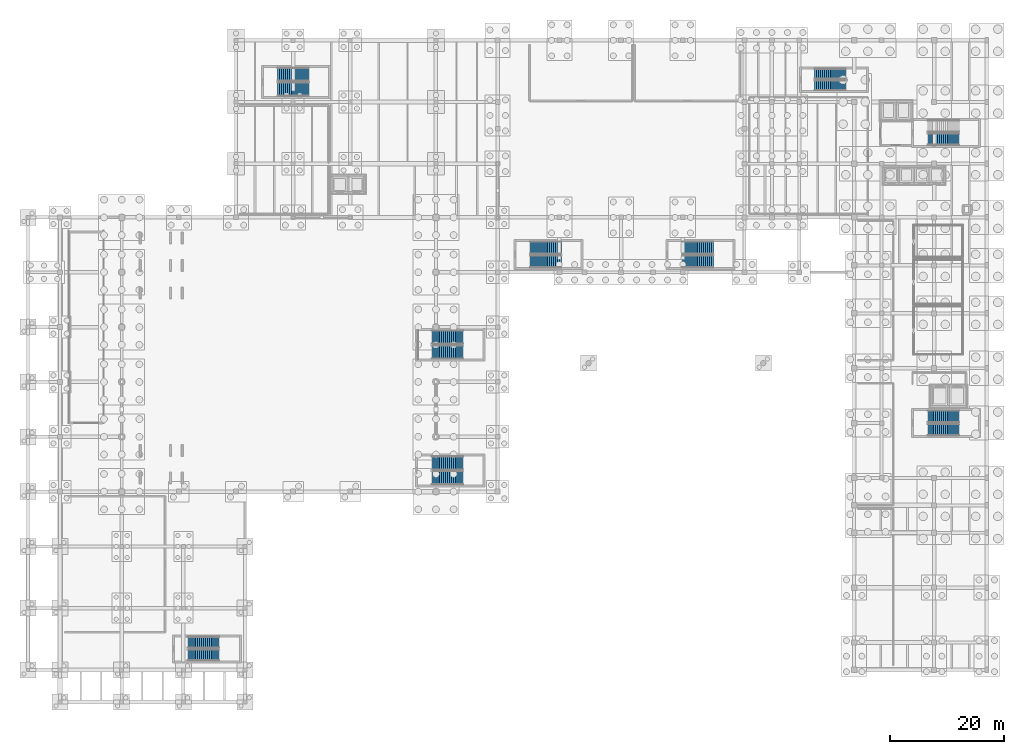
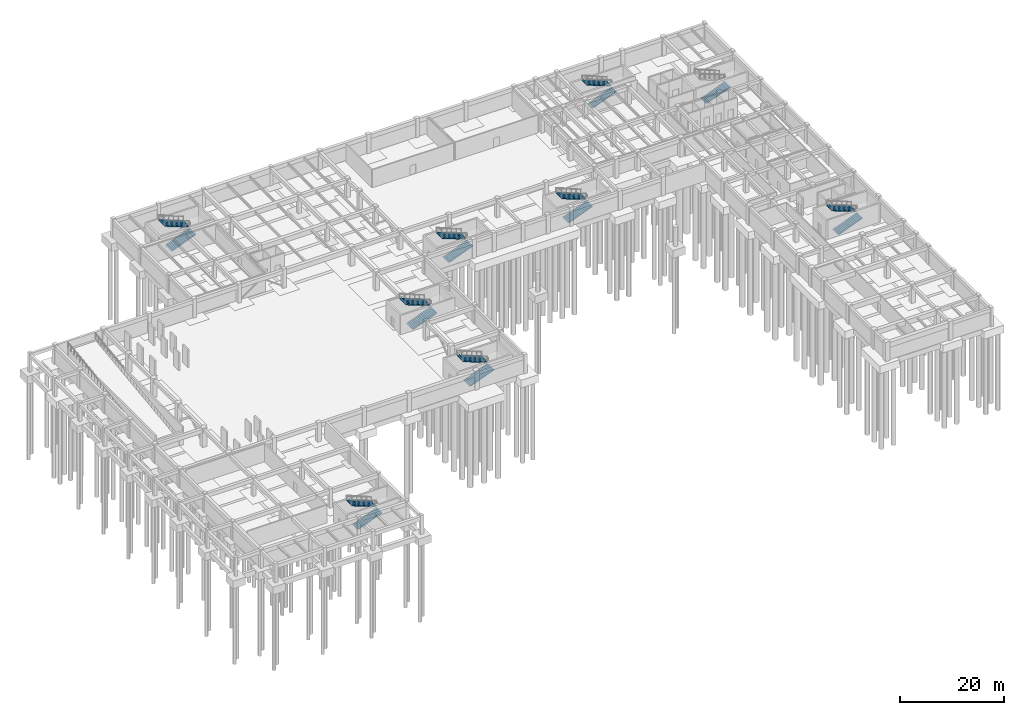
# One storey, part 23 of 33: 17 stair flights, 9 elements without a shape of their own.
"""IFC4 building model written with IfcOpenShell, lengths in metres."""

from ifc_helpers import new_model, si_unit, direction, frame, origin, place, context, subcontext, project, spatial, polyline, outline, extrude, material, type_object, element, aggregate, save


model = new_model("IFC4")

# Units and contexts
model_context = context("Model", 3, precision=1e-05, world=origin(), true_north=direction((0.0, 1.0)))
body_context = subcontext(model_context, "Body", "Model", "MODEL_VIEW")
ifc_project = project(units=[si_unit("LENGTHUNIT", "METRE"), si_unit("AREAUNIT", "SQUARE_METRE"), si_unit("VOLUMEUNIT", "CUBIC_METRE"), si_unit("PLANEANGLEUNIT", "RADIAN"), si_unit("MASSUNIT", "GRAM", prefix="KILO")], contexts=[model_context])

# Site, building, storey
site_placement = place(None, origin())
site = spatial("IfcSite", under=ifc_project, at=site_placement, CompositionType="ELEMENT")
building_placement = place(site_placement, origin())
building = spatial("IfcBuilding", under=site, at=building_placement, Name="Veldera Park Congress Hotel", CompositionType="ELEMENT")
storey_placement = place(building_placement, frame((0.0, 0.0, -4.5)))
storey = spatial("IfcBuildingStorey", under=building, at=storey_placement, Name="B1", CompositionType="ELEMENT", Elevation=-4.5)

# Stair, stair flight
ifc_material = material(Name="Concrete f'c 40 MPa (5,800 psi)", Category="concrete")
stair_type_1 = type_object("IfcStairType", Name="ST1", PredefinedType="HALF_TURN_STAIR", material=ifc_material)
stair_1_placement = place(storey_placement, origin())
stair_1 = element("IfcStair", 1, at=stair_1_placement, inside=storey, type_object=stair_type_1, Name="B1 Protected Exit Stair ST1", PredefinedType="HALF_TURN_STAIR")
stair_flight_type_1 = type_object("IfcStairFlightType", Name="SFL-ST1", PredefinedType="STRAIGHT", material=ifc_material)
stair_flight_1_placement = place(storey_placement, frame((73.699951171875, 40.64990234375, 0.0), z_axis=(0.0, 0.0, 1.0), x_axis=(1.0, 0.0, 0.0)))
stair_flight_1 = element("IfcStairFlight", 2, at=stair_flight_1_placement, type_object=stair_flight_type_1, Name="ST1 flight 1", NumberOfRisers=17, NumberOfTreads=16, PredefinedType="STRAIGHT", RiserHeight=0.132352941, TreadLength=0.34, context=body_context, shape_type="SweptSolid", body=[
    extrude(outline(polyline([(0.0, 0.0), (0.0, 0.13232421875), (0.340087890625, 0.13232421875), (0.340087890625, 0.2646484375), (0.679931640625, 0.2646484375), (0.679931640625, 0.39697265625), (1.02001953125, 0.39697265625), (1.02001953125, 0.529296875), (1.360107421875, 0.529296875), (1.360107421875, 0.661865234375), (1.699951171875, 0.661865234375), (1.699951171875, 0.794189453125), (2.0400390625, 0.794189453125), (2.0400390625, 0.926513671875), (2.3798828125, 0.926513671875), (2.3798828125, 1.058837890625), (2.719970703125, 1.058837890625), (2.719970703125, 1.191162109375), (3.06005859375, 1.191162109375), (3.06005859375, 1.323486328125), (3.39990234375, 1.323486328125), (3.39990234375, 1.455810546875), (3.739990234375, 1.455810546875), (3.739990234375, 1.588134765625), (4.080078125, 1.588134765625), (4.080078125, 1.720703125), (4.419921875, 1.720703125), (4.419921875, 1.85302734375), (4.760009765625, 1.85302734375), (4.760009765625, 1.9853515625), (5.10009765625, 1.9853515625), (5.10009765625, 2.11767578125), (5.43994140625, 2.11767578125), (5.43994140625, 2.25), (5.43994140625, 2.25), (5.43994140625, 1.924560546875), (0.49609375, 0.0), (0.0, 0.0)])), frame((0.0, 1.050048828125, 0.0), z_axis=(0.0, -1.0, 0.0), x_axis=(1.0, 0.0, 0.0)), (0.0, 0.0, 1.0), 2.10009765625),
])
aggregate(stair_1, [stair_flight_1])

# Stair, stair flights
stair_type_2 = type_object("IfcStairType", Name="ST2", PredefinedType="HALF_TURN_STAIR", material=ifc_material)
stair_2_placement = place(storey_placement, origin())
stair_2 = element("IfcStair", 3, at=stair_2_placement, inside=storey, type_object=stair_type_2, Name="B1 Protected Exit Stair ST2", PredefinedType="HALF_TURN_STAIR")
stair_flight_type_2 = type_object("IfcStairFlightType", Name="SFL-ST2", PredefinedType="STRAIGHT", material=ifc_material)
stair_flight_2_placement = place(storey_placement, frame((73.699951171875, -10.14990234375, 0.0), z_axis=(0.0, 0.0, 1.0), x_axis=(1.0, 0.0, 0.0)))
stair_flight_2 = element("IfcStairFlight", 4, at=stair_flight_2_placement, type_object=stair_flight_type_2, Name="ST2 flight 1", NumberOfRisers=17, NumberOfTreads=16, PredefinedType="STRAIGHT", RiserHeight=0.132352941, TreadLength=0.34, context=body_context, shape_type="SweptSolid", body=[
    extrude(outline(polyline([(0.0, 0.0), (0.0, 0.13232421875), (0.340087890625, 0.13232421875), (0.340087890625, 0.2646484375), (0.679931640625, 0.2646484375), (0.679931640625, 0.39697265625), (1.02001953125, 0.39697265625), (1.02001953125, 0.529296875), (1.360107421875, 0.529296875), (1.360107421875, 0.661865234375), (1.699951171875, 0.661865234375), (1.699951171875, 0.794189453125), (2.0400390625, 0.794189453125), (2.0400390625, 0.926513671875), (2.3798828125, 0.926513671875), (2.3798828125, 1.058837890625), (2.719970703125, 1.058837890625), (2.719970703125, 1.191162109375), (3.06005859375, 1.191162109375), (3.06005859375, 1.323486328125), (3.39990234375, 1.323486328125), (3.39990234375, 1.455810546875), (3.739990234375, 1.455810546875), (3.739990234375, 1.588134765625), (4.080078125, 1.588134765625), (4.080078125, 1.720703125), (4.419921875, 1.720703125), (4.419921875, 1.85302734375), (4.760009765625, 1.85302734375), (4.760009765625, 1.9853515625), (5.10009765625, 1.9853515625), (5.10009765625, 2.11767578125), (5.43994140625, 2.11767578125), (5.43994140625, 2.25), (5.43994140625, 2.25), (5.43994140625, 1.924560546875), (0.49609375, 0.0), (0.0, 0.0)])), frame((0.0, 1.050048828125, 0.0), z_axis=(0.0, -1.0, 0.0), x_axis=(1.0, 0.0, 0.0)), (0.0, 0.0, 1.0), 2.10009765625),
])
stair_flight_3_placement = place(storey_placement, frame((79.139892578125, -7.85009765625, 2.25), z_axis=(0.0, 0.0, 1.0), x_axis=(-1.0, 0.0, 0.0)))
stair_flight_3 = element("IfcStairFlight", 5, at=stair_flight_3_placement, type_object=stair_flight_type_2, Name="ST2 flight 2", NumberOfRisers=17, NumberOfTreads=16, PredefinedType="STRAIGHT", RiserHeight=0.132352941, TreadLength=0.34, context=body_context, shape_type="SweptSolid", body=[
    extrude(outline(polyline([(0.0, 0.0), (0.0, 0.13232421875), (0.340087890625, 0.13232421875), (0.340087890625, 0.2646484375), (0.679931640625, 0.2646484375), (0.679931640625, 0.39697265625), (1.02001953125, 0.39697265625), (1.02001953125, 0.529296875), (1.360107421875, 0.529296875), (1.360107421875, 0.661865234375), (1.699951171875, 0.661865234375), (1.699951171875, 0.794189453125), (2.0400390625, 0.794189453125), (2.0400390625, 0.926513671875), (2.3798828125, 0.926513671875), (2.3798828125, 1.058837890625), (2.719970703125, 1.058837890625), (2.719970703125, 1.191162109375), (3.06005859375, 1.191162109375), (3.06005859375, 1.323486328125), (3.39990234375, 1.323486328125), (3.39990234375, 1.455810546875), (3.739990234375, 1.455810546875), (3.739990234375, 1.588134765625), (4.080078125, 1.588134765625), (4.080078125, 1.720703125), (4.419921875, 1.720703125), (4.419921875, 1.85302734375), (4.760009765625, 1.85302734375), (4.760009765625, 1.9853515625), (5.10009765625, 1.9853515625), (5.10009765625, 2.11767578125), (5.43994140625, 2.11767578125), (5.43994140625, 2.25), (5.43994140625, 2.25), (5.43994140625, 1.924560546875), (0.49609375, 0.0), (0.0, 0.0)])), frame((0.0, 1.050048828125, 0.0), z_axis=(0.0, -1.0, 0.0), x_axis=(1.0, 0.0, 0.0)), (0.0, 0.0, 1.0), 2.10009765625),
])
aggregate(stair_2, [stair_flight_2, stair_flight_3])

stair_type_3 = type_object("IfcStairType", Name="ST3", PredefinedType="HALF_TURN_STAIR", material=ifc_material)
stair_3_placement = place(storey_placement, origin())
stair_3 = element("IfcStair", 6, at=stair_3_placement, inside=storey, type_object=stair_type_3, Name="B1 Protected Exit Stair ST3", PredefinedType="HALF_TURN_STAIR")
stair_flight_type_3 = type_object("IfcStairFlightType", Name="SFL-ST3", PredefinedType="STRAIGHT", material=ifc_material)
stair_flight_4_placement = place(storey_placement, frame((53.89990234375, 50.10009765625, 0.0), z_axis=(0.0, 0.0, 1.0), x_axis=(1.0, 0.0, 0.0)))
stair_flight_4 = element("IfcStairFlight", 7, at=stair_flight_4_placement, type_object=stair_flight_type_3, Name="ST3 flight 1", NumberOfRisers=17, NumberOfTreads=16, PredefinedType="STRAIGHT", RiserHeight=0.132352941, TreadLength=0.34, context=body_context, shape_type="SweptSolid", body=[
    extrude(outline(polyline([(0.0, 0.0), (0.0, 0.13232421875), (0.340087890625, 0.13232421875), (0.340087890625, 0.2646484375), (0.679931640625, 0.2646484375), (0.679931640625, 0.39697265625), (1.02001953125, 0.39697265625), (1.02001953125, 0.529296875), (1.360107421875, 0.529296875), (1.360107421875, 0.661865234375), (1.699951171875, 0.661865234375), (1.699951171875, 0.794189453125), (2.0400390625, 0.794189453125), (2.0400390625, 0.926513671875), (2.3798828125, 0.926513671875), (2.3798828125, 1.058837890625), (2.719970703125, 1.058837890625), (2.719970703125, 1.191162109375), (3.06005859375, 1.191162109375), (3.06005859375, 1.323486328125), (3.39990234375, 1.323486328125), (3.39990234375, 1.455810546875), (3.739990234375, 1.455810546875), (3.739990234375, 1.588134765625), (4.080078125, 1.588134765625), (4.080078125, 1.720703125), (4.419921875, 1.720703125), (4.419921875, 1.85302734375), (4.760009765625, 1.85302734375), (4.760009765625, 1.9853515625), (5.10009765625, 1.9853515625), (5.10009765625, 2.11767578125), (5.43994140625, 2.11767578125), (5.43994140625, 2.25), (5.43994140625, 2.25), (5.43994140625, 1.924560546875), (0.49609375, 0.0), (0.0, 0.0)])), frame((0.0, 0.89990234375, 0.0), z_axis=(0.0, -1.0, 0.0), x_axis=(1.0, 0.0, 0.0)), (0.0, 0.0, 1.0), 1.800048828125),
])
stair_flight_5_placement = place(storey_placement, frame((59.340087890625, 52.10009765625, 2.25), z_axis=(0.0, 0.0, 1.0), x_axis=(-1.0, 0.0, 0.0)))
stair_flight_5 = element("IfcStairFlight", 8, at=stair_flight_5_placement, type_object=stair_flight_type_3, Name="ST3 flight 2", NumberOfRisers=17, NumberOfTreads=16, PredefinedType="STRAIGHT", RiserHeight=0.132352941, TreadLength=0.34, context=body_context, shape_type="SweptSolid", body=[
    extrude(outline(polyline([(0.0, 0.0), (0.0, 0.13232421875), (0.340087890625, 0.13232421875), (0.340087890625, 0.2646484375), (0.679931640625, 0.2646484375), (0.679931640625, 0.39697265625), (1.02001953125, 0.39697265625), (1.02001953125, 0.529296875), (1.360107421875, 0.529296875), (1.360107421875, 0.661865234375), (1.699951171875, 0.661865234375), (1.699951171875, 0.794189453125), (2.0400390625, 0.794189453125), (2.0400390625, 0.926513671875), (2.3798828125, 0.926513671875), (2.3798828125, 1.058837890625), (2.719970703125, 1.058837890625), (2.719970703125, 1.191162109375), (3.06005859375, 1.191162109375), (3.06005859375, 1.323486328125), (3.39990234375, 1.323486328125), (3.39990234375, 1.455810546875), (3.739990234375, 1.455810546875), (3.739990234375, 1.588134765625), (4.080078125, 1.588134765625), (4.080078125, 1.720703125), (4.419921875, 1.720703125), (4.419921875, 1.85302734375), (4.760009765625, 1.85302734375), (4.760009765625, 1.9853515625), (5.10009765625, 1.9853515625), (5.10009765625, 2.11767578125), (5.43994140625, 2.11767578125), (5.43994140625, 2.25), (5.43994140625, 2.25), (5.43994140625, 1.924560546875), (0.49609375, 0.0), (0.0, 0.0)])), frame((0.0, 0.89990234375, 0.0), z_axis=(0.0, -1.0, 0.0), x_axis=(1.0, 0.0, 0.0)), (0.0, 0.0, 1.0), 1.800048828125),
])
aggregate(stair_3, [stair_flight_4, stair_flight_5])

stair_type_4 = type_object("IfcStairType", Name="ST4", PredefinedType="HALF_TURN_STAIR", material=ifc_material)
stair_4_placement = place(storey_placement, origin())
stair_4 = element("IfcStair", 9, at=stair_4_placement, inside=storey, type_object=stair_type_4, Name="B1 Protected Exit Stair ST4", PredefinedType="HALF_TURN_STAIR")
stair_flight_type_4 = type_object("IfcStairFlightType", Name="SFL-ST4", PredefinedType="STRAIGHT", material=ifc_material)
stair_flight_6_placement = place(storey_placement, frame((-40.10009765625, 49.39990234375, 0.0), z_axis=(0.0, 0.0, 1.0), x_axis=(1.0, 0.0, 0.0)))
stair_flight_6 = element("IfcStairFlight", 10, at=stair_flight_6_placement, type_object=stair_flight_type_4, Name="ST4 flight 1", NumberOfRisers=17, NumberOfTreads=16, PredefinedType="STRAIGHT", RiserHeight=0.132352941, TreadLength=0.34, context=body_context, shape_type="SweptSolid", body=[
    extrude(outline(polyline([(0.0, 0.0), (0.0, 0.13232421875), (0.340087890625, 0.13232421875), (0.340087890625, 0.2646484375), (0.679931640625, 0.2646484375), (0.679931640625, 0.39697265625), (1.02001953125, 0.39697265625), (1.02001953125, 0.529296875), (1.360107421875, 0.529296875), (1.360107421875, 0.661865234375), (1.699951171875, 0.661865234375), (1.699951171875, 0.794189453125), (2.0400390625, 0.794189453125), (2.0400390625, 0.926513671875), (2.3798828125, 0.926513671875), (2.3798828125, 1.058837890625), (2.719970703125, 1.058837890625), (2.719970703125, 1.191162109375), (3.06005859375, 1.191162109375), (3.06005859375, 1.323486328125), (3.39990234375, 1.323486328125), (3.39990234375, 1.455810546875), (3.739990234375, 1.455810546875), (3.739990234375, 1.588134765625), (4.080078125, 1.588134765625), (4.080078125, 1.720703125), (4.419921875, 1.720703125), (4.419921875, 1.85302734375), (4.760009765625, 1.85302734375), (4.760009765625, 1.9853515625), (5.10009765625, 1.9853515625), (5.10009765625, 2.11767578125), (5.43994140625, 2.11767578125), (5.43994140625, 2.25), (5.43994140625, 2.25), (5.43994140625, 1.924560546875), (0.49609375, 0.0), (0.0, 0.0)])), frame((0.0, 1.199951171875, 0.0), z_axis=(0.0, -1.0, 0.0), x_axis=(1.0, 0.0, 0.0)), (0.0, 0.0, 1.0), 2.39990234375),
])
stair_flight_7_placement = place(storey_placement, frame((-34.659912109375, 52.0, 2.25), z_axis=(0.0, 0.0, 1.0), x_axis=(-1.0, 0.0, 0.0)))
stair_flight_7 = element("IfcStairFlight", 11, at=stair_flight_7_placement, type_object=stair_flight_type_4, Name="ST4 flight 2", NumberOfRisers=17, NumberOfTreads=16, PredefinedType="STRAIGHT", RiserHeight=0.132352941, TreadLength=0.34, context=body_context, shape_type="SweptSolid", body=[
    extrude(outline(polyline([(0.0, 0.0), (0.0, 0.13232421875), (0.340087890625, 0.13232421875), (0.340087890625, 0.2646484375), (0.679931640625, 0.2646484375), (0.679931640625, 0.39697265625), (1.02001953125, 0.39697265625), (1.02001953125, 0.529296875), (1.360107421875, 0.529296875), (1.360107421875, 0.661865234375), (1.699951171875, 0.661865234375), (1.699951171875, 0.794189453125), (2.0400390625, 0.794189453125), (2.0400390625, 0.926513671875), (2.3798828125, 0.926513671875), (2.3798828125, 1.058837890625), (2.719970703125, 1.058837890625), (2.719970703125, 1.191162109375), (3.06005859375, 1.191162109375), (3.06005859375, 1.323486328125), (3.39990234375, 1.323486328125), (3.39990234375, 1.455810546875), (3.739990234375, 1.455810546875), (3.739990234375, 1.588134765625), (4.080078125, 1.588134765625), (4.080078125, 1.720703125), (4.419921875, 1.720703125), (4.419921875, 1.85302734375), (4.760009765625, 1.85302734375), (4.760009765625, 1.9853515625), (5.10009765625, 1.9853515625), (5.10009765625, 2.11767578125), (5.43994140625, 2.11767578125), (5.43994140625, 2.25), (5.43994140625, 2.25), (5.43994140625, 1.924560546875), (0.49609375, 0.0), (0.0, 0.0)])), frame((0.0, 1.199951171875, 0.0), z_axis=(0.0, -1.0, 0.0), x_axis=(1.0, 0.0, 0.0)), (0.0, 0.0, 1.0), 2.39990234375),
])
aggregate(stair_4, [stair_flight_6, stair_flight_7])

stair_type_5 = type_object("IfcStairType", Name="ST5", PredefinedType="HALF_TURN_STAIR", material=ifc_material)
stair_5_placement = place(storey_placement, origin())
stair_5 = element("IfcStair", 12, at=stair_5_placement, inside=storey, type_object=stair_type_5, Name="B1 Protected Exit Stair ST5", PredefinedType="HALF_TURN_STAIR")
stair_flight_type_5 = type_object("IfcStairFlightType", Name="SFL-ST5", PredefinedType="STRAIGHT", material=ifc_material)
stair_flight_8_placement = place(storey_placement, frame((-13.10009765625, -18.60009765625, 0.0), z_axis=(0.0, 0.0, 1.0), x_axis=(1.0, 0.0, 0.0)))
stair_flight_8 = element("IfcStairFlight", 13, at=stair_flight_8_placement, type_object=stair_flight_type_5, Name="ST5 flight 1", NumberOfRisers=17, NumberOfTreads=16, PredefinedType="STRAIGHT", RiserHeight=0.132352941, TreadLength=0.34, context=body_context, shape_type="SweptSolid", body=[
    extrude(outline(polyline([(0.0, 0.0), (0.0, 0.13232421875), (0.340087890625, 0.13232421875), (0.340087890625, 0.2646484375), (0.679931640625, 0.2646484375), (0.679931640625, 0.39697265625), (1.02001953125, 0.39697265625), (1.02001953125, 0.529296875), (1.360107421875, 0.529296875), (1.360107421875, 0.661865234375), (1.699951171875, 0.661865234375), (1.699951171875, 0.794189453125), (2.0400390625, 0.794189453125), (2.0400390625, 0.926513671875), (2.3798828125, 0.926513671875), (2.3798828125, 1.058837890625), (2.719970703125, 1.058837890625), (2.719970703125, 1.191162109375), (3.06005859375, 1.191162109375), (3.06005859375, 1.323486328125), (3.39990234375, 1.323486328125), (3.39990234375, 1.455810546875), (3.739990234375, 1.455810546875), (3.739990234375, 1.588134765625), (4.080078125, 1.588134765625), (4.080078125, 1.720703125), (4.419921875, 1.720703125), (4.419921875, 1.85302734375), (4.760009765625, 1.85302734375), (4.760009765625, 1.9853515625), (5.10009765625, 1.9853515625), (5.10009765625, 2.11767578125), (5.43994140625, 2.11767578125), (5.43994140625, 2.25), (5.43994140625, 2.25), (5.43994140625, 1.924560546875), (0.49609375, 0.0), (0.0, 0.0)])), frame((0.0, 1.199951171875, 0.0), z_axis=(0.0, -1.0, 0.0), x_axis=(1.0, 0.0, 0.0)), (0.0, 0.0, 1.0), 2.39990234375),
])
stair_flight_9_placement = place(storey_placement, frame((-7.659912109375, -16.0, 2.25), z_axis=(0.0, 0.0, 1.0), x_axis=(-1.0, 0.0, 0.0)))
stair_flight_9 = element("IfcStairFlight", 14, at=stair_flight_9_placement, type_object=stair_flight_type_5, Name="ST5 flight 2", NumberOfRisers=17, NumberOfTreads=16, PredefinedType="STRAIGHT", RiserHeight=0.132352941, TreadLength=0.34, context=body_context, shape_type="SweptSolid", body=[
    extrude(outline(polyline([(0.0, 0.0), (0.0, 0.13232421875), (0.340087890625, 0.13232421875), (0.340087890625, 0.2646484375), (0.679931640625, 0.2646484375), (0.679931640625, 0.39697265625), (1.02001953125, 0.39697265625), (1.02001953125, 0.529296875), (1.360107421875, 0.529296875), (1.360107421875, 0.661865234375), (1.699951171875, 0.661865234375), (1.699951171875, 0.794189453125), (2.0400390625, 0.794189453125), (2.0400390625, 0.926513671875), (2.3798828125, 0.926513671875), (2.3798828125, 1.058837890625), (2.719970703125, 1.058837890625), (2.719970703125, 1.191162109375), (3.06005859375, 1.191162109375), (3.06005859375, 1.323486328125), (3.39990234375, 1.323486328125), (3.39990234375, 1.455810546875), (3.739990234375, 1.455810546875), (3.739990234375, 1.588134765625), (4.080078125, 1.588134765625), (4.080078125, 1.720703125), (4.419921875, 1.720703125), (4.419921875, 1.85302734375), (4.760009765625, 1.85302734375), (4.760009765625, 1.9853515625), (5.10009765625, 1.9853515625), (5.10009765625, 2.11767578125), (5.43994140625, 2.11767578125), (5.43994140625, 2.25), (5.43994140625, 2.25), (5.43994140625, 1.924560546875), (0.49609375, 0.0), (0.0, 0.0)])), frame((0.0, 1.199951171875, 0.0), z_axis=(0.0, -1.0, 0.0), x_axis=(1.0, 0.0, 0.0)), (0.0, 0.0, 1.0), 2.39990234375),
])
aggregate(stair_5, [stair_flight_8, stair_flight_9])

stair_type_6 = type_object("IfcStairType", Name="ST6", PredefinedType="HALF_TURN_STAIR", material=ifc_material)
stair_6_placement = place(storey_placement, origin())
stair_6 = element("IfcStair", 15, at=stair_6_placement, inside=storey, type_object=stair_type_6, Name="B1 Protected Exit Stair ST6", PredefinedType="HALF_TURN_STAIR")
stair_flight_type_6 = type_object("IfcStairFlightType", Name="SFL-ST6", PredefinedType="STRAIGHT", material=ifc_material)
stair_flight_10_placement = place(storey_placement, frame((4.10009765625, 19.300048828125, 0.0), z_axis=(0.0, 0.0, 1.0), x_axis=(1.0, 0.0, 0.0)))
stair_flight_10 = element("IfcStairFlight", 16, at=stair_flight_10_placement, type_object=stair_flight_type_6, Name="ST6 flight 1", NumberOfRisers=17, NumberOfTreads=16, PredefinedType="STRAIGHT", RiserHeight=0.132352941, TreadLength=0.34, context=body_context, shape_type="SweptSolid", body=[
    extrude(outline(polyline([(0.0, 0.0), (0.0, 0.13232421875), (0.340087890625, 0.13232421875), (0.340087890625, 0.2646484375), (0.679931640625, 0.2646484375), (0.679931640625, 0.39697265625), (1.02001953125, 0.39697265625), (1.02001953125, 0.529296875), (1.360107421875, 0.529296875), (1.360107421875, 0.661865234375), (1.699951171875, 0.661865234375), (1.699951171875, 0.794189453125), (2.0400390625, 0.794189453125), (2.0400390625, 0.926513671875), (2.3798828125, 0.926513671875), (2.3798828125, 1.058837890625), (2.719970703125, 1.058837890625), (2.719970703125, 1.191162109375), (3.06005859375, 1.191162109375), (3.06005859375, 1.323486328125), (3.39990234375, 1.323486328125), (3.39990234375, 1.455810546875), (3.739990234375, 1.455810546875), (3.739990234375, 1.588134765625), (4.080078125, 1.588134765625), (4.080078125, 1.720703125), (4.419921875, 1.720703125), (4.419921875, 1.85302734375), (4.760009765625, 1.85302734375), (4.760009765625, 1.9853515625), (5.10009765625, 1.9853515625), (5.10009765625, 2.11767578125), (5.43994140625, 2.11767578125), (5.43994140625, 2.25), (5.43994140625, 2.25), (5.43994140625, 1.924560546875), (0.49609375, 0.0), (0.0, 0.0)])), frame((0.0, 1.10009765625, 0.0), z_axis=(0.0, -1.0, 0.0), x_axis=(1.0, 0.0, 0.0)), (0.0, 0.0, 1.0), 2.199951171875),
])
stair_flight_11_placement = place(storey_placement, frame((9.5400390625, 21.699951171875, 2.25), z_axis=(0.0, 0.0, 1.0), x_axis=(-1.0, 0.0, 0.0)))
stair_flight_11 = element("IfcStairFlight", 17, at=stair_flight_11_placement, type_object=stair_flight_type_6, Name="ST6 flight 2", NumberOfRisers=17, NumberOfTreads=16, PredefinedType="STRAIGHT", RiserHeight=0.132352941, TreadLength=0.34, context=body_context, shape_type="SweptSolid", body=[
    extrude(outline(polyline([(0.0, 0.0), (0.0, 0.13232421875), (0.340087890625, 0.13232421875), (0.340087890625, 0.2646484375), (0.679931640625, 0.2646484375), (0.679931640625, 0.39697265625), (1.02001953125, 0.39697265625), (1.02001953125, 0.529296875), (1.360107421875, 0.529296875), (1.360107421875, 0.661865234375), (1.699951171875, 0.661865234375), (1.699951171875, 0.794189453125), (2.0400390625, 0.794189453125), (2.0400390625, 0.926513671875), (2.3798828125, 0.926513671875), (2.3798828125, 1.058837890625), (2.719970703125, 1.058837890625), (2.719970703125, 1.191162109375), (3.06005859375, 1.191162109375), (3.06005859375, 1.323486328125), (3.39990234375, 1.323486328125), (3.39990234375, 1.455810546875), (3.739990234375, 1.455810546875), (3.739990234375, 1.588134765625), (4.080078125, 1.588134765625), (4.080078125, 1.720703125), (4.419921875, 1.720703125), (4.419921875, 1.85302734375), (4.760009765625, 1.85302734375), (4.760009765625, 1.9853515625), (5.10009765625, 1.9853515625), (5.10009765625, 2.11767578125), (5.43994140625, 2.11767578125), (5.43994140625, 2.25), (5.43994140625, 2.25), (5.43994140625, 1.924560546875), (0.49609375, 0.0), (0.0, 0.0)])), frame((0.0, 1.10009765625, 0.0), z_axis=(0.0, -1.0, 0.0), x_axis=(1.0, 0.0, 0.0)), (0.0, 0.0, 1.0), 2.199951171875),
])
aggregate(stair_6, [stair_flight_10, stair_flight_11])

stair_type_7 = type_object("IfcStairType", Name="ST7", PredefinedType="HALF_TURN_STAIR", material=ifc_material)
stair_7_placement = place(storey_placement, origin())
stair_7 = element("IfcStair", 18, at=stair_7_placement, inside=storey, type_object=stair_type_7, Name="B1 Protected Exit Stair ST7", PredefinedType="HALF_TURN_STAIR")
stair_flight_type_7 = type_object("IfcStairFlightType", Name="SFL-ST7", PredefinedType="STRAIGHT", material=ifc_material)
stair_flight_12_placement = place(storey_placement, frame((30.699951171875, 19.300048828125, 0.0), z_axis=(0.0, 0.0, 1.0), x_axis=(1.0, 0.0, 0.0)))
stair_flight_12 = element("IfcStairFlight", 19, at=stair_flight_12_placement, type_object=stair_flight_type_7, Name="ST7 flight 1", NumberOfRisers=17, NumberOfTreads=16, PredefinedType="STRAIGHT", RiserHeight=0.132352941, TreadLength=0.34, context=body_context, shape_type="SweptSolid", body=[
    extrude(outline(polyline([(0.0, 0.0), (0.0, 0.13232421875), (0.340087890625, 0.13232421875), (0.340087890625, 0.2646484375), (0.679931640625, 0.2646484375), (0.679931640625, 0.39697265625), (1.02001953125, 0.39697265625), (1.02001953125, 0.529296875), (1.360107421875, 0.529296875), (1.360107421875, 0.661865234375), (1.699951171875, 0.661865234375), (1.699951171875, 0.794189453125), (2.0400390625, 0.794189453125), (2.0400390625, 0.926513671875), (2.3798828125, 0.926513671875), (2.3798828125, 1.058837890625), (2.719970703125, 1.058837890625), (2.719970703125, 1.191162109375), (3.06005859375, 1.191162109375), (3.06005859375, 1.323486328125), (3.39990234375, 1.323486328125), (3.39990234375, 1.455810546875), (3.739990234375, 1.455810546875), (3.739990234375, 1.588134765625), (4.080078125, 1.588134765625), (4.080078125, 1.720703125), (4.419921875, 1.720703125), (4.419921875, 1.85302734375), (4.760009765625, 1.85302734375), (4.760009765625, 1.9853515625), (5.10009765625, 1.9853515625), (5.10009765625, 2.11767578125), (5.43994140625, 2.11767578125), (5.43994140625, 2.25), (5.43994140625, 2.25), (5.43994140625, 1.924560546875), (0.49609375, 0.0), (0.0, 0.0)])), frame((0.0, 1.10009765625, 0.0), z_axis=(0.0, -1.0, 0.0), x_axis=(1.0, 0.0, 0.0)), (0.0, 0.0, 1.0), 2.199951171875),
])
stair_flight_13_placement = place(storey_placement, frame((36.139892578125, 21.699951171875, 2.25), z_axis=(0.0, 0.0, 1.0), x_axis=(-1.0, 0.0, 0.0)))
stair_flight_13 = element("IfcStairFlight", 20, at=stair_flight_13_placement, type_object=stair_flight_type_7, Name="ST7 flight 2", NumberOfRisers=17, NumberOfTreads=16, PredefinedType="STRAIGHT", RiserHeight=0.132352941, TreadLength=0.34, context=body_context, shape_type="SweptSolid", body=[
    extrude(outline(polyline([(0.0, 0.0), (0.0, 0.13232421875), (0.340087890625, 0.13232421875), (0.340087890625, 0.2646484375), (0.679931640625, 0.2646484375), (0.679931640625, 0.39697265625), (1.02001953125, 0.39697265625), (1.02001953125, 0.529296875), (1.360107421875, 0.529296875), (1.360107421875, 0.661865234375), (1.699951171875, 0.661865234375), (1.699951171875, 0.794189453125), (2.0400390625, 0.794189453125), (2.0400390625, 0.926513671875), (2.3798828125, 0.926513671875), (2.3798828125, 1.058837890625), (2.719970703125, 1.058837890625), (2.719970703125, 1.191162109375), (3.06005859375, 1.191162109375), (3.06005859375, 1.323486328125), (3.39990234375, 1.323486328125), (3.39990234375, 1.455810546875), (3.739990234375, 1.455810546875), (3.739990234375, 1.588134765625), (4.080078125, 1.588134765625), (4.080078125, 1.720703125), (4.419921875, 1.720703125), (4.419921875, 1.85302734375), (4.760009765625, 1.85302734375), (4.760009765625, 1.9853515625), (5.10009765625, 1.9853515625), (5.10009765625, 2.11767578125), (5.43994140625, 2.11767578125), (5.43994140625, 2.25), (5.43994140625, 2.25), (5.43994140625, 1.924560546875), (0.49609375, 0.0), (0.0, 0.0)])), frame((0.0, 1.10009765625, 0.0), z_axis=(0.0, -1.0, 0.0), x_axis=(1.0, 0.0, 0.0)), (0.0, 0.0, 1.0), 2.199951171875),
])
aggregate(stair_7, [stair_flight_12, stair_flight_13])

stair_type_8 = type_object("IfcStairType", Name="ST8", PredefinedType="HALF_TURN_STAIR", material=ifc_material)
stair_8_placement = place(storey_placement, origin())
stair_8 = element("IfcStair", 21, at=stair_8_placement, inside=storey, type_object=stair_type_8, Name="B1 Protected Exit Stair ST8", PredefinedType="HALF_TURN_STAIR")
stair_flight_type_8 = type_object("IfcStairFlightType", Name="SFL-ST8", PredefinedType="STRAIGHT", material=ifc_material)
stair_flight_14_placement = place(storey_placement, frame((-55.800048828125, -49.60009765625, 0.0), z_axis=(0.0, 0.0, 1.0), x_axis=(1.0, 0.0, 0.0)))
stair_flight_14 = element("IfcStairFlight", 22, at=stair_flight_14_placement, type_object=stair_flight_type_8, Name="ST8 flight 1", NumberOfRisers=17, NumberOfTreads=16, PredefinedType="STRAIGHT", RiserHeight=0.132352941, TreadLength=0.34, context=body_context, shape_type="SweptSolid", body=[
    extrude(outline(polyline([(0.0, 0.0), (0.0, 0.13232421875), (0.340087890625, 0.13232421875), (0.340087890625, 0.2646484375), (0.679931640625, 0.2646484375), (0.679931640625, 0.39697265625), (1.02001953125, 0.39697265625), (1.02001953125, 0.529296875), (1.360107421875, 0.529296875), (1.360107421875, 0.661865234375), (1.699951171875, 0.661865234375), (1.699951171875, 0.794189453125), (2.0400390625, 0.794189453125), (2.0400390625, 0.926513671875), (2.3798828125, 0.926513671875), (2.3798828125, 1.058837890625), (2.719970703125, 1.058837890625), (2.719970703125, 1.191162109375), (3.06005859375, 1.191162109375), (3.06005859375, 1.323486328125), (3.39990234375, 1.323486328125), (3.39990234375, 1.455810546875), (3.739990234375, 1.455810546875), (3.739990234375, 1.588134765625), (4.080078125, 1.588134765625), (4.080078125, 1.720703125), (4.419921875, 1.720703125), (4.419921875, 1.85302734375), (4.760009765625, 1.85302734375), (4.760009765625, 1.9853515625), (5.10009765625, 1.9853515625), (5.10009765625, 2.11767578125), (5.43994140625, 2.11767578125), (5.43994140625, 2.25), (5.43994140625, 2.25), (5.43994140625, 1.924560546875), (0.49609375, 0.0), (0.0, 0.0)])), frame((0.0, 1.0, 0.0), z_axis=(0.0, -1.0, 0.0), x_axis=(1.0, 0.0, 0.0)), (0.0, 0.0, 1.0), 2.0),
])
stair_flight_15_placement = place(storey_placement, frame((-50.360107421875, -47.39990234375, 2.25), z_axis=(0.0, 0.0, 1.0), x_axis=(-1.0, 0.0, 0.0)))
stair_flight_15 = element("IfcStairFlight", 23, at=stair_flight_15_placement, type_object=stair_flight_type_8, Name="ST8 flight 2", NumberOfRisers=17, NumberOfTreads=16, PredefinedType="STRAIGHT", RiserHeight=0.132352941, TreadLength=0.34, context=body_context, shape_type="SweptSolid", body=[
    extrude(outline(polyline([(0.0, 0.0), (0.0, 0.13232421875), (0.340087890625, 0.13232421875), (0.340087890625, 0.2646484375), (0.679931640625, 0.2646484375), (0.679931640625, 0.39697265625), (1.02001953125, 0.39697265625), (1.02001953125, 0.529296875), (1.360107421875, 0.529296875), (1.360107421875, 0.661865234375), (1.699951171875, 0.661865234375), (1.699951171875, 0.794189453125), (2.0400390625, 0.794189453125), (2.0400390625, 0.926513671875), (2.3798828125, 0.926513671875), (2.3798828125, 1.058837890625), (2.719970703125, 1.058837890625), (2.719970703125, 1.191162109375), (3.06005859375, 1.191162109375), (3.06005859375, 1.323486328125), (3.39990234375, 1.323486328125), (3.39990234375, 1.455810546875), (3.739990234375, 1.455810546875), (3.739990234375, 1.588134765625), (4.080078125, 1.588134765625), (4.080078125, 1.720703125), (4.419921875, 1.720703125), (4.419921875, 1.85302734375), (4.760009765625, 1.85302734375), (4.760009765625, 1.9853515625), (5.10009765625, 1.9853515625), (5.10009765625, 2.11767578125), (5.43994140625, 2.11767578125), (5.43994140625, 2.25), (5.43994140625, 2.25), (5.43994140625, 1.924560546875), (0.49609375, 0.0), (0.0, 0.0)])), frame((0.0, 1.0, 0.0), z_axis=(0.0, -1.0, 0.0), x_axis=(1.0, 0.0, 0.0)), (0.0, 0.0, 1.0), 2.0),
])
aggregate(stair_8, [stair_flight_14, stair_flight_15])

stair_type_9 = type_object("IfcStairType", Name="ST9", PredefinedType="HALF_TURN_STAIR", material=ifc_material)
stair_9_placement = place(storey_placement, origin())
stair_9 = element("IfcStair", 24, at=stair_9_placement, inside=storey, type_object=stair_type_9, Name="B1 Monumental Foyer Stair ST9", PredefinedType="HALF_TURN_STAIR")
stair_flight_type_9 = type_object("IfcStairFlightType", Name="SFL-ST9", PredefinedType="STRAIGHT", material=ifc_material)
stair_flight_16_placement = place(storey_placement, frame((-13.10009765625, 3.39990234375, 0.0), z_axis=(0.0, 0.0, 1.0), x_axis=(1.0, 0.0, 0.0)))
stair_flight_16 = element("IfcStairFlight", 25, at=stair_flight_16_placement, type_object=stair_flight_type_9, Name="ST9 flight 1", NumberOfRisers=17, NumberOfTreads=16, PredefinedType="STRAIGHT", RiserHeight=0.132352941, TreadLength=0.34, context=body_context, shape_type="SweptSolid", body=[
    extrude(outline(polyline([(0.0, 0.0), (0.0, 0.13232421875), (0.340087890625, 0.13232421875), (0.340087890625, 0.2646484375), (0.679931640625, 0.2646484375), (0.679931640625, 0.39697265625), (1.02001953125, 0.39697265625), (1.02001953125, 0.529296875), (1.360107421875, 0.529296875), (1.360107421875, 0.661865234375), (1.699951171875, 0.661865234375), (1.699951171875, 0.794189453125), (2.0400390625, 0.794189453125), (2.0400390625, 0.926513671875), (2.3798828125, 0.926513671875), (2.3798828125, 1.058837890625), (2.719970703125, 1.058837890625), (2.719970703125, 1.191162109375), (3.06005859375, 1.191162109375), (3.06005859375, 1.323486328125), (3.39990234375, 1.323486328125), (3.39990234375, 1.455810546875), (3.739990234375, 1.455810546875), (3.739990234375, 1.588134765625), (4.080078125, 1.588134765625), (4.080078125, 1.720703125), (4.419921875, 1.720703125), (4.419921875, 1.85302734375), (4.760009765625, 1.85302734375), (4.760009765625, 1.9853515625), (5.10009765625, 1.9853515625), (5.10009765625, 2.11767578125), (5.43994140625, 2.11767578125), (5.43994140625, 2.25), (5.43994140625, 2.25), (5.43994140625, 1.924560546875), (0.49609375, 0.0), (0.0, 0.0)])), frame((0.0, 1.199951171875, 0.0), z_axis=(0.0, -1.0, 0.0), x_axis=(1.0, 0.0, 0.0)), (0.0, 0.0, 1.0), 2.39990234375),
])
stair_flight_17_placement = place(storey_placement, frame((-7.659912109375, 6.0, 2.25), z_axis=(0.0, 0.0, 1.0), x_axis=(-1.0, 0.0, 0.0)))
stair_flight_17 = element("IfcStairFlight", 26, at=stair_flight_17_placement, type_object=stair_flight_type_9, Name="ST9 flight 2", NumberOfRisers=17, NumberOfTreads=16, PredefinedType="STRAIGHT", RiserHeight=0.132352941, TreadLength=0.34, context=body_context, shape_type="SweptSolid", body=[
    extrude(outline(polyline([(0.0, 0.0), (0.0, 0.13232421875), (0.340087890625, 0.13232421875), (0.340087890625, 0.2646484375), (0.679931640625, 0.2646484375), (0.679931640625, 0.39697265625), (1.02001953125, 0.39697265625), (1.02001953125, 0.529296875), (1.360107421875, 0.529296875), (1.360107421875, 0.661865234375), (1.699951171875, 0.661865234375), (1.699951171875, 0.794189453125), (2.0400390625, 0.794189453125), (2.0400390625, 0.926513671875), (2.3798828125, 0.926513671875), (2.3798828125, 1.058837890625), (2.719970703125, 1.058837890625), (2.719970703125, 1.191162109375), (3.06005859375, 1.191162109375), (3.06005859375, 1.323486328125), (3.39990234375, 1.323486328125), (3.39990234375, 1.455810546875), (3.739990234375, 1.455810546875), (3.739990234375, 1.588134765625), (4.080078125, 1.588134765625), (4.080078125, 1.720703125), (4.419921875, 1.720703125), (4.419921875, 1.85302734375), (4.760009765625, 1.85302734375), (4.760009765625, 1.9853515625), (5.10009765625, 1.9853515625), (5.10009765625, 2.11767578125), (5.43994140625, 2.11767578125), (5.43994140625, 2.25), (5.43994140625, 2.25), (5.43994140625, 1.924560546875), (0.49609375, 0.0), (0.0, 0.0)])), frame((0.0, 1.199951171875, 0.0), z_axis=(0.0, -1.0, 0.0), x_axis=(1.0, 0.0, 0.0)), (0.0, 0.0, 1.0), 2.39990234375),
])
aggregate(stair_9, [stair_flight_16, stair_flight_17])

save(model, "model.ifc")
